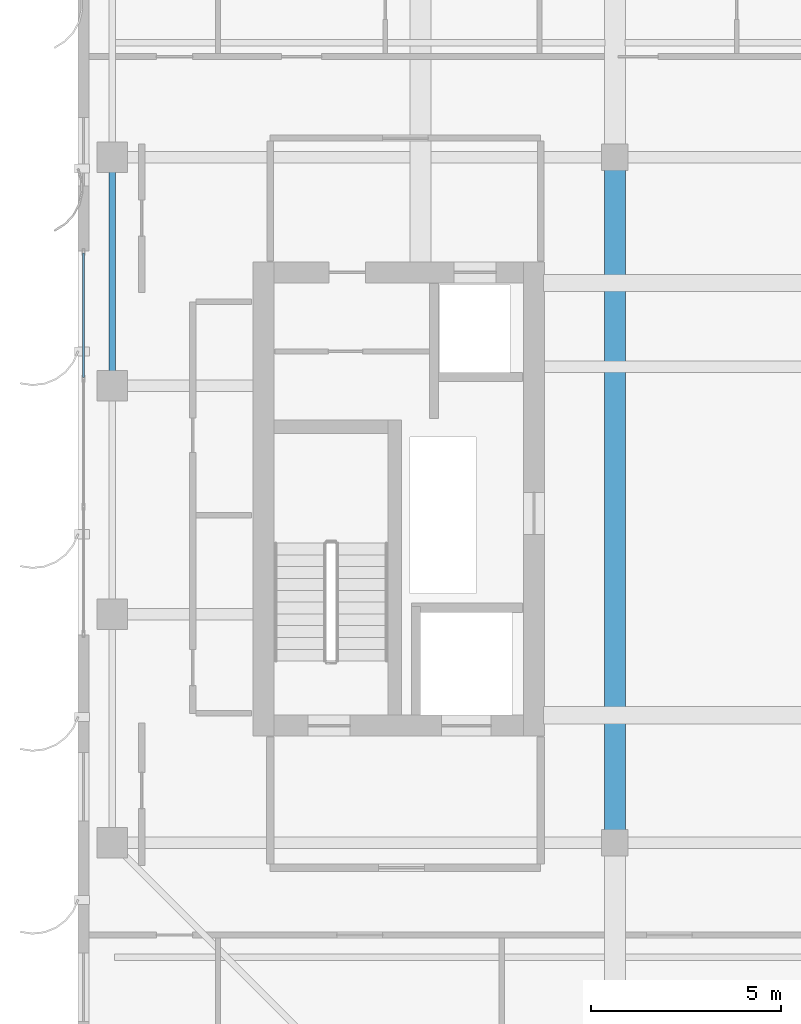
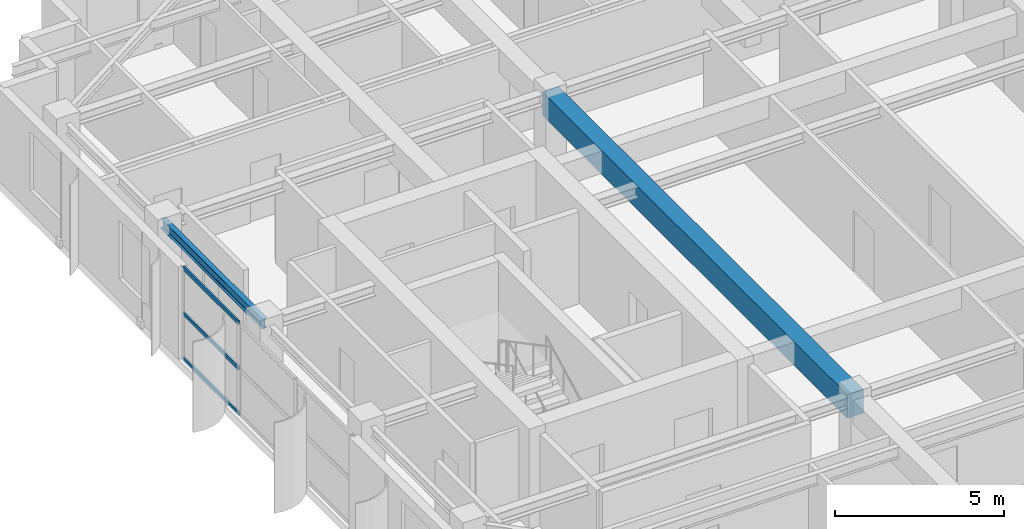
# One storey, part 8 of 22: 3 members, 2 beams, 1 element without a shape of its own.
"""IFC4 building model written with IfcOpenShell, lengths in metres."""

from ifc_helpers import new_model, si_unit, direction, frame, origin, origin_2d, place, context, subcontext, project, spatial, rectangle, hollow_rectangle, i_section, extrude, source, transform, mapped, material, layer, layer_set, material_profile, profile_set, type_object, element, aggregate, save


model = new_model("IFC4")

# Units and contexts
model_context = context("Model", 3, precision=1e-05, world=origin(), true_north=direction((0.0, 1.0)))
body_context = subcontext(model_context, "Body", "Model", "MODEL_VIEW")
ifc_project = project(units=[si_unit("LENGTHUNIT", "METRE"), si_unit("AREAUNIT", "SQUARE_METRE"), si_unit("VOLUMEUNIT", "CUBIC_METRE"), si_unit("PLANEANGLEUNIT", "RADIAN"), si_unit("MASSUNIT", "GRAM", prefix="KILO")], contexts=[model_context])

# Site, building, storey
site_placement = place(None, origin())
site = spatial("IfcSite", under=ifc_project, at=site_placement, CompositionType="ELEMENT")
building_placement = place(site_placement, origin())
building = spatial("IfcBuilding", under=site, at=building_placement, Name="Khoralis Quay Care Tower", CompositionType="ELEMENT")
storey_placement = place(building_placement, frame((0.0, 0.0, 278.10009765625)))
storey = spatial("IfcBuildingStorey", under=building, at=storey_placement, Name="L73", CompositionType="ELEMENT", Elevation=278.10009765625)

# Beams
ifc_material_1 = material(Name="Steel S355", Category="steel")
ifc_material_profile_1 = material_profile(ifc_material_1, i_section(OverallWidth=0.169921875, OverallDepth=0.360107421875, WebThickness=0.008056640625, FlangeThickness=0.0126953125, FilletRadius=0.01806640625, at=origin_2d()), Name="Steel S355")
ifc_profile_set_1 = profile_set([ifc_material_profile_1], Name="Steel S355")
beam_type_1 = type_object("IfcBeamType", Name="BM-IPE360", PredefinedType="SPANDREL", material=ifc_profile_set_1)
shared_shape_1 = source(origin(), body_context, "Body", "SweptSolid", [
    extrude(i_section(OverallWidth=0.169921875, OverallDepth=0.360107421875, WebThickness=0.008056640625, FlangeThickness=0.0126953125, FilletRadius=0.01806640625, at=origin_2d()), origin(), (0.0, 0.0, 1.0), 6.0),
])
beam_1_placement = place(storey_placement, frame((3.89990234375, 24.0, 3.139892578125), z_axis=(0.0, 1.0, 0.0), x_axis=(-1.0, 0.0, 0.0)))
element("IfcBeam", 1, at=beam_1_placement, inside=storey, type_object=beam_type_1, Name="BM-TSP-L73-11", PredefinedType="SPANDREL", context=body_context, shape_type="MappedRepresentation", body=[
    mapped(shared_shape_1, transform((0.0, 0.0, 0.0), scale=1.0)),
])
ifc_material_2 = material(Name="Concrete C50/60", Category="concrete")
ifc_material_profile_2 = material_profile(ifc_material_2, rectangle(XDim=0.550048828125, YDim=0.85009765625, at=origin_2d()), Name="Concrete C50/60")
ifc_profile_set_2 = profile_set([ifc_material_profile_2], Name="Concrete C50/60")
beam_type_2 = type_object("IfcBeamType", Name="BM-RC550X850", PredefinedType="BEAM", material=ifc_profile_set_2)
shared_shape_2 = source(origin(), body_context, "Body", "SweptSolid", [
    extrude(rectangle(XDim=0.550048828125, YDim=0.85009765625, at=origin_2d()), origin(), (0.0, 0.0, 1.0), 18.0),
])
beam_2_placement = place(storey_placement, frame((17.10009765625, 12.0, 2.89501953125), z_axis=(0.0, 1.0, 0.0), x_axis=(-1.0, 0.0, 0.0)))
element("IfcBeam", 2, at=beam_2_placement, inside=storey, type_object=beam_type_2, Name="BM-TGSW-L73", PredefinedType="BEAM", context=body_context, shape_type="MappedRepresentation", body=[
    mapped(shared_shape_2, transform((0.0, 0.0, 0.0), scale=1.0)),
])

# Curtain wall, members
ifc_material_3 = material(Name="Pale anodised aluminium", Category="aluminium")
ifc_layer = layer(ifc_material_3, 0.159912109375)
ifc_layer_set = layer_set([ifc_layer], Name="Pale anodised aluminium")
curtain_wall_type = type_object("IfcCurtainWallType", Name="CW-SYS-Z3", PredefinedType="NOTDEFINED", material=ifc_layer_set)
curtain_wall_placement = place(storey_placement, origin())
curtain_wall = element("IfcCurtainWall", 3, at=curtain_wall_placement, inside=storey, type_object=curtain_wall_type, Name="L73 Unitised Curtain Wall CW-L73-P1-E15", PredefinedType="NOTDEFINED")
ifc_material_profile_3 = material_profile(ifc_material_3, hollow_rectangle(XDim=0.06005859375, YDim=0.139892578125, WallThickness=0.00390625, at=origin_2d()), Name="Pale anodised aluminium")
ifc_profile_set_3 = profile_set([ifc_material_profile_3], Name="Pale anodised aluminium")
member_type = type_object("IfcMemberType", Name="CW-TRN-140", PredefinedType="USERDEFINED", material=ifc_profile_set_3)
shared_shape_3 = source(origin(), body_context, "Body", "SweptSolid", [
    extrude(hollow_rectangle(XDim=0.06005859375, YDim=0.139892578125, WallThickness=0.00390625, at=origin_2d()), origin(), (0.0, 0.0, 1.0), 3.27001953125),
])
member_1_placement = place(storey_placement, frame((3.14990234375, 27.47998046875, 0.02978515625), z_axis=(0.0, -1.0, 0.0), x_axis=(1.0, 0.0, 0.0)))
member_1 = element("IfcMember", 4, at=member_1_placement, type_object=member_type, Name="CW3 transom 1.1", ObjectType="TRANSOM", PredefinedType="USERDEFINED", context=body_context, shape_type="MappedRepresentation", body=[
    mapped(shared_shape_3, transform((0.0, 0.0, 0.0), scale=1.0)),
])
member_2_placement = place(storey_placement, frame((3.14990234375, 27.47998046875, 1.659912109375), z_axis=(0.0, -1.0, 0.0), x_axis=(1.0, 0.0, 0.0)))
member_2 = element("IfcMember", 5, at=member_2_placement, type_object=member_type, Name="CW3 transom 1.2", ObjectType="TRANSOM", PredefinedType="USERDEFINED", context=body_context, shape_type="MappedRepresentation", body=[
    mapped(shared_shape_3, transform((0.0, 0.0, 0.0), scale=1.0)),
])
member_3_placement = place(storey_placement, frame((3.14990234375, 27.47998046875, 3.289794921875), z_axis=(0.0, -1.0, 0.0), x_axis=(1.0, 0.0, 0.0)))
member_3 = element("IfcMember", 6, at=member_3_placement, type_object=member_type, Name="CW3 transom 1.3", ObjectType="TRANSOM", PredefinedType="USERDEFINED", context=body_context, shape_type="MappedRepresentation", body=[
    mapped(shared_shape_3, transform((0.0, 0.0, 0.0), scale=1.0)),
])
aggregate(curtain_wall, [member_1, member_2, member_3])

save(model, "model.ifc")
